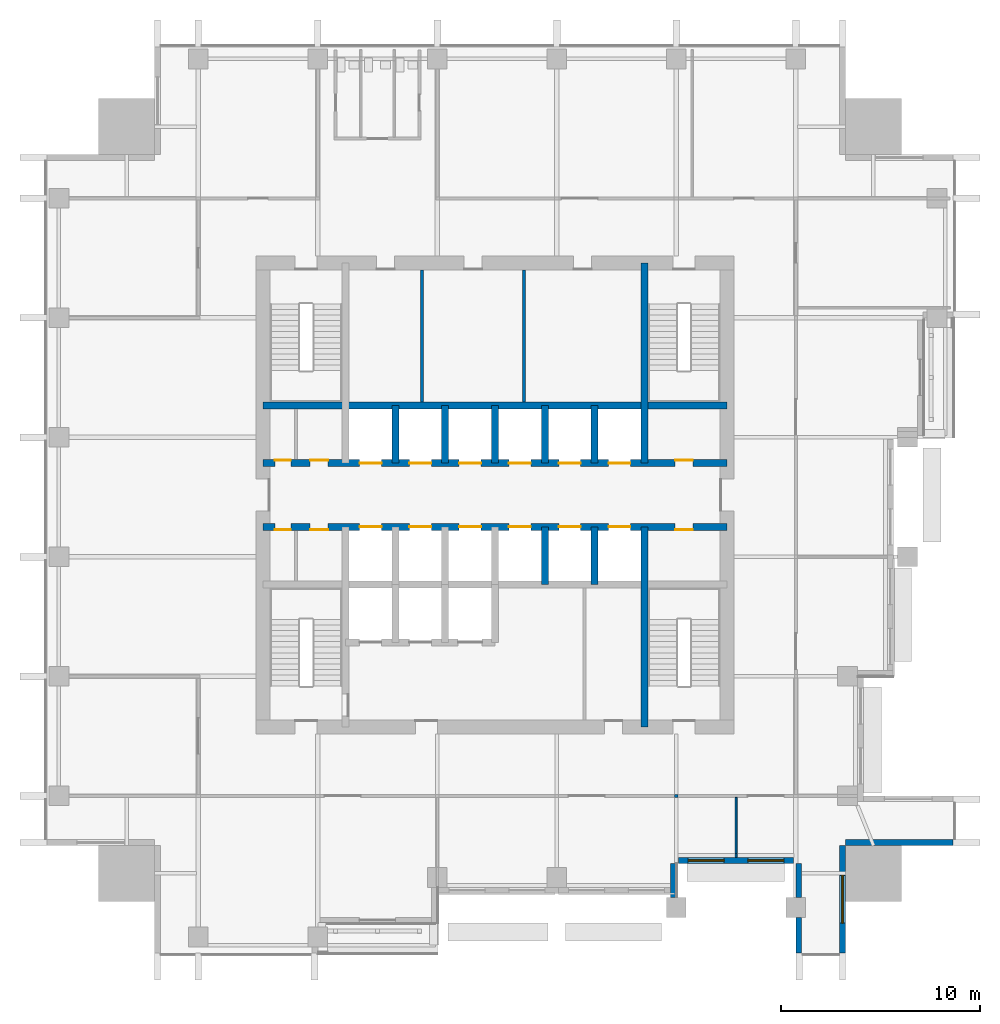
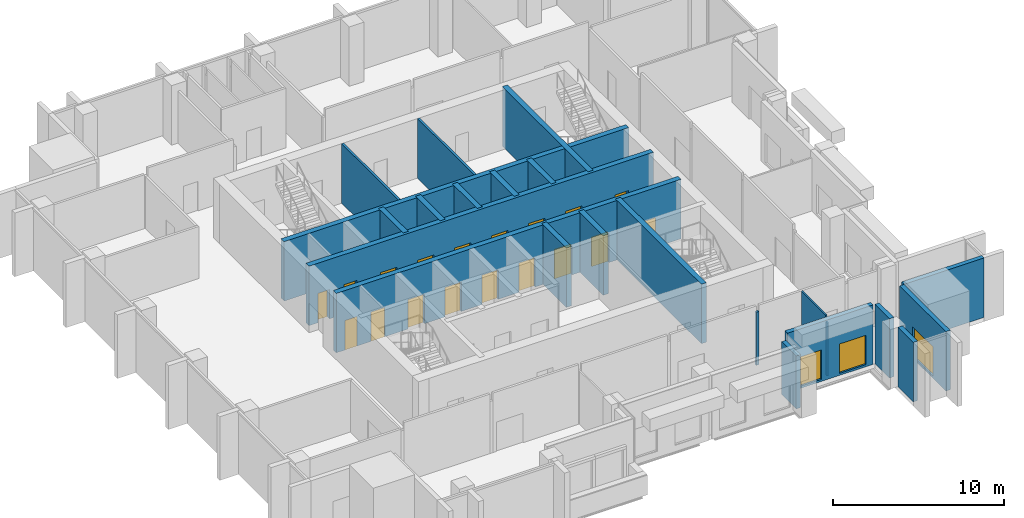
# One storey, part 5 of 11: 23 walls, 18 doors, 3 windows, 21 openings.
"""IFC4 building model written with IfcOpenShell, lengths in metres."""

from ifc_helpers import new_model, si_unit, direction, frame, frame_2d, origin, place, context, subcontext, project, spatial, rectangle, extrude, material, layer, layer_set, type_object, element, fill, save


model = new_model("IFC4")

# Units and contexts
model_context = context("Model", 3, precision=1e-05, world=origin(), true_north=direction((0.0, 1.0)))
body_context = subcontext(model_context, "Body", "Model", "MODEL_VIEW")
ifc_project = project(units=[si_unit("LENGTHUNIT", "METRE"), si_unit("AREAUNIT", "SQUARE_METRE"), si_unit("VOLUMEUNIT", "CUBIC_METRE"), si_unit("PLANEANGLEUNIT", "RADIAN"), si_unit("MASSUNIT", "GRAM", prefix="KILO")], contexts=[model_context])

# Site, building, storey
site_placement = place(None, origin())
site = spatial("IfcSite", under=ifc_project, at=site_placement, CompositionType="ELEMENT")
building_placement = place(site_placement, origin())
building = spatial("IfcBuilding", under=site, at=building_placement, Name="Amberfall Residences", CompositionType="ELEMENT")
storey_placement = place(building_placement, frame((0.0, 0.0, 150.39990234375)))
storey = spatial("IfcBuildingStorey", under=building, at=storey_placement, Name="L40", CompositionType="ELEMENT", Elevation=150.39990234375)

# Walls
ifc_material_1 = material(Name="Pale stone cladding on insulated backing", Category="masonry")
ifc_layer_1 = layer(ifc_material_1, 0.300048828125)
ifc_layer_set_1 = layer_set([ifc_layer_1], Name="Bronze clad wall 300")
wall_type_1 = type_object("IfcWallType", Name="Bronze clad wall 300", PredefinedType="SOLIDWALL", material=ifc_layer_set_1)
wall_1_placement = place(storey_placement, frame((89.75, 27.0, 0.0), z_axis=(0.0, 0.0, 1.0), x_axis=(0.0, -1.0, 0.0)))
element("IfcWall", 1, at=wall_1_placement, inside=storey, type_object=wall_type_1, Name="External wall L40 S", PredefinedType="SOLIDWALL", context=body_context, shape_type="SweptSolid", body=[
    extrude(rectangle(XDim=1.699951171875, YDim=0.300048828125, at=frame_2d((0.85009765625, 0.0))), origin(), (0.0, 0.0, 1.0), 4.25),
])
wall_2_placement = place(storey_placement, frame((89.75, 24.300048828125, 0.0), z_axis=(0.0, 0.0, 1.0), x_axis=(0.0, -1.0, 0.0)))
element("IfcWall", 2, at=wall_2_placement, inside=storey, type_object=wall_type_1, Name="External wall L40 S", PredefinedType="SOLIDWALL", context=body_context, shape_type="SweptSolid", body=[
    extrude(rectangle(XDim=1.800048828125, YDim=0.300048828125, at=frame_2d((0.89990234375, 0.0))), origin(), (0.0, 0.0, 1.0), 4.25),
])

# Wall, opening, window
wall_3_placement = place(storey_placement, frame((91.949951171875, 22.5, 0.0), z_axis=(0.0, 0.0, 1.0), x_axis=(0.0, 1.0, 0.0)))
wall_3 = element("IfcWall", 3, at=wall_3_placement, inside=storey, type_object=wall_type_1, Name="External wall L40 SE", PredefinedType="SOLIDWALL", context=body_context, shape_type="SweptSolid", body=[
    extrude(rectangle(XDim=5.39990234375, YDim=0.300048828125, at=frame_2d((2.699951171875, 0.0))), origin(), (0.0, 0.0, 1.0), 4.25),
])
opening_1_placement = place(wall_3_placement, frame((1.5, 0.0, 0.14990234375)))
opening_1 = element("IfcOpeningElement", 4, at=opening_1_placement, cuts=wall_3, Name="Opening WN5", PredefinedType="OPENING", context=body_context, shape_type="SweptSolid", body=[
    extrude(rectangle(XDim=2.39990234375, YDim=2.10009765625, at=frame_2d((1.199951171875, 1.050048828125))), frame((0.0, 0.159912109375, 0.0), z_axis=(0.0, -1.0, 0.0), x_axis=(1.0, 0.0, 0.0)), (0.0, 0.0, 1.0), 0.320068359375),
])
ifc_material_2 = material(Name="Bronze aluminium framed glazing", Category="aluminium")
window_type_1 = type_object("IfcWindowType", Name="Glazed opening 2400 x 2100 bronze", PartitioningType="DOUBLE_PANEL_VERTICAL", PredefinedType="WINDOW", material=ifc_material_2)
window_1_placement = place(opening_1_placement, origin())
window_1 = element("IfcWindow", 5, at=window_1_placement, inside=storey, type_object=window_type_1, Name="Window L40 SE", OverallHeight=2.10009765625, OverallWidth=2.39990234375, PartitioningType="DOUBLE_PANEL_VERTICAL", PredefinedType="WINDOW", context=body_context, shape_type="SweptSolid", body=[
    extrude(rectangle(XDim=2.39990234375, YDim=2.10009765625, at=frame_2d((1.199951171875, 1.050048828125))), frame((0.0, 0.030029296875, 0.0), z_axis=(0.0, -1.0, 0.0), x_axis=(1.0, 0.0, 0.0)), (0.0, 0.0, 1.0), 0.06005859375),
])
fill(opening_1, window_1)

# Walls
wall_4_placement = place(storey_placement, frame((92.10009765625, 28.050048828125, 0.0), z_axis=(0.0, 0.0, 1.0), x_axis=(1.0, 0.0, 0.0)))
element("IfcWall", 6, at=wall_4_placement, inside=storey, type_object=wall_type_1, Name="External wall L40 SE", PredefinedType="SOLIDWALL", context=body_context, shape_type="SweptSolid", body=[
    extrude(rectangle(XDim=5.39990234375, YDim=0.300048828125, at=frame_2d((2.699951171875, 0.0))), origin(), (0.0, 0.0, 1.0), 4.25),
])
wall_5_placement = place(storey_placement, frame((83.449951171875, 25.300048828125, 0.0), z_axis=(0.0, 0.0, 1.0), x_axis=(0.0, 1.0, 0.0)))
element("IfcWall", 7, at=wall_5_placement, inside=storey, type_object=wall_type_1, Name="Stone wall L40 E", PredefinedType="SOLIDWALL", context=body_context, shape_type="SweptSolid", body=[
    extrude(rectangle(XDim=1.699951171875, YDim=0.300048828125, at=frame_2d((0.85009765625, 0.0))), origin(), (0.0, 0.0, 1.0), 3.7880859375),
])

# Wall, openings, windows
wall_6_placement = place(storey_placement, frame((83.699951171875, 27.14990234375, 0.0), z_axis=(0.0, 0.0, 1.0), x_axis=(1.0, 0.0, 0.0)))
wall_6 = element("IfcWall", 8, at=wall_6_placement, inside=storey, type_object=wall_type_1, Name="Stone wall L40 S", PredefinedType="SOLIDWALL", context=body_context, shape_type="SweptSolid", body=[
    extrude(rectangle(XDim=5.7900390625, YDim=0.300048828125, at=frame_2d((2.89501953125, 0.0))), origin(), (0.0, 0.0, 1.0), 4.25),
])
opening_2_placement = place(wall_6_placement, frame((0.5, 0.0, 0.14990234375)))
opening_2 = element("IfcOpeningElement", 9, at=opening_2_placement, cuts=wall_6, Name="Opening WN6", PredefinedType="OPENING", context=body_context, shape_type="SweptSolid", body=[
    extrude(rectangle(XDim=1.800048828125, YDim=2.10009765625, at=frame_2d((0.89990234375, 1.050048828125))), frame((0.0, 0.159912109375, 0.0), z_axis=(0.0, -1.0, 0.0), x_axis=(1.0, 0.0, 0.0)), (0.0, 0.0, 1.0), 0.320068359375),
])
opening_3_placement = place(wall_6_placement, frame((3.5, 0.0, 0.14990234375)))
opening_3 = element("IfcOpeningElement", 10, at=opening_3_placement, cuts=wall_6, Name="Opening WN6", PredefinedType="OPENING", context=body_context, shape_type="SweptSolid", body=[
    extrude(rectangle(XDim=1.800048828125, YDim=2.10009765625, at=frame_2d((0.89990234375, 1.050048828125))), frame((0.0, 0.159912109375, 0.0), z_axis=(0.0, -1.0, 0.0), x_axis=(1.0, 0.0, 0.0)), (0.0, 0.0, 1.0), 0.320068359375),
])
window_type_2 = type_object("IfcWindowType", Name="Glazed opening 1800 x 2100 bronze", PartitioningType="DOUBLE_PANEL_VERTICAL", PredefinedType="WINDOW", material=ifc_material_2)
window_2_placement = place(opening_2_placement, origin())
window_2 = element("IfcWindow", 11, at=window_2_placement, inside=storey, type_object=window_type_2, Name="Window L40 S", OverallHeight=2.10009765625, OverallWidth=1.800048828125, PartitioningType="DOUBLE_PANEL_VERTICAL", PredefinedType="WINDOW", context=body_context, shape_type="SweptSolid", body=[
    extrude(rectangle(XDim=1.800048828125, YDim=2.10009765625, at=frame_2d((0.89990234375, 1.050048828125))), frame((0.0, 0.030029296875, 0.0), z_axis=(0.0, -1.0, 0.0), x_axis=(1.0, 0.0, 0.0)), (0.0, 0.0, 1.0), 0.06005859375),
])
fill(opening_2, window_2)
window_3_placement = place(opening_3_placement, origin())
window_3 = element("IfcWindow", 12, at=window_3_placement, inside=storey, type_object=window_type_2, Name="Window L40 S", OverallHeight=2.10009765625, OverallWidth=1.800048828125, PartitioningType="DOUBLE_PANEL_VERTICAL", PredefinedType="WINDOW", context=body_context, shape_type="SweptSolid", body=[
    extrude(rectangle(XDim=1.800048828125, YDim=2.10009765625, at=frame_2d((0.89990234375, 1.050048828125))), frame((0.0, 0.030029296875, 0.0), z_axis=(0.0, -1.0, 0.0), x_axis=(1.0, 0.0, 0.0)), (0.0, 0.0, 1.0), 0.06005859375),
])
fill(opening_3, window_3)

# Wall, openings, doors
ifc_material_3 = material(Name="Concrete C60", Category="concrete")
ifc_layer_2 = layer(ifc_material_3, 0.35009765625)
ifc_layer_set_2 = layer_set([ifc_layer_2], Name="Core wall 350 C60")
wall_type_2 = type_object("IfcWallType", Name="Core wall 350 C60", PredefinedType="SHEAR", material=ifc_layer_set_2)
wall_7_placement = place(storey_placement, frame((62.85009765625, 43.89990234375, 0.0), z_axis=(0.0, 0.0, 1.0), x_axis=(1.0, 0.0, 0.0)))
wall_7 = element("IfcWall", 13, at=wall_7_placement, inside=storey, type_object=wall_type_2, Name="Core wall RW6 L40 H104", PredefinedType="SHEAR", context=body_context, shape_type="SweptSolid", body=[
    extrude(rectangle(XDim=23.2998046875, YDim=0.35009765625, at=frame_2d((11.64990234375, 0.0))), origin(), (0.0, 0.0, 1.0), 4.25),
])
opening_4_placement = place(wall_7_placement, frame((0.6025390625, 0.0, 0.0)))
opening_4 = element("IfcOpeningElement", 14, at=opening_4_placement, cuts=wall_7, Name="Opening RD2", PredefinedType="OPENING", context=body_context, shape_type="SweptSolid", body=[
    extrude(rectangle(XDim=0.800048828125, YDim=2.10009765625, at=frame_2d((0.39990234375, 1.050048828125))), frame((0.0, 0.18505859375, 0.0), z_axis=(0.0, -1.0, 0.0), x_axis=(1.0, 0.0, 0.0)), (0.0, 0.0, 1.0), 0.3701171875),
])
opening_5_placement = place(wall_7_placement, frame((2.364990234375, 0.0, 0.0)))
opening_5 = element("IfcOpeningElement", 15, at=opening_5_placement, cuts=wall_7, Name="Opening RD1", PredefinedType="OPENING", context=body_context, shape_type="SweptSolid", body=[
    extrude(rectangle(XDim=0.89990234375, YDim=2.10009765625, at=frame_2d((0.449951171875, 1.050048828125))), frame((0.0, 0.18505859375, 0.0), z_axis=(0.0, -1.0, 0.0), x_axis=(1.0, 0.0, 0.0)), (0.0, 0.0, 1.0), 0.3701171875),
])
opening_6_placement = place(wall_7_placement, frame((20.6875, 0.0, 0.0)))
opening_6 = element("IfcOpeningElement", 16, at=opening_6_placement, cuts=wall_7, Name="Opening RD1", PredefinedType="OPENING", context=body_context, shape_type="SweptSolid", body=[
    extrude(rectangle(XDim=0.89990234375, YDim=2.10009765625, at=frame_2d((0.449951171875, 1.050048828125))), frame((0.0, 0.18505859375, 0.0), z_axis=(0.0, -1.0, 0.0), x_axis=(1.0, 0.0, 0.0)), (0.0, 0.0, 1.0), 0.3701171875),
])
opening_7_placement = place(wall_7_placement, frame((4.85009765625, 0.0, 0.0)))
opening_7 = element("IfcOpeningElement", 17, at=opening_7_placement, cuts=wall_7, Name="Opening LD1", PredefinedType="OPENING", context=body_context, shape_type="SweptSolid", body=[
    extrude(rectangle(XDim=1.10009765625, YDim=2.10009765625, at=frame_2d((0.550048828125, 1.050048828125))), frame((0.0, 0.18505859375, 0.0), z_axis=(0.0, -1.0, 0.0), x_axis=(1.0, 0.0, 0.0)), (0.0, 0.0, 1.0), 0.3701171875),
])
opening_8_placement = place(wall_7_placement, frame((7.35009765625, 0.0, 0.0)))
opening_8 = element("IfcOpeningElement", 18, at=opening_8_placement, cuts=wall_7, Name="Opening LD1", PredefinedType="OPENING", context=body_context, shape_type="SweptSolid", body=[
    extrude(rectangle(XDim=1.10009765625, YDim=2.10009765625, at=frame_2d((0.550048828125, 1.050048828125))), frame((0.0, 0.18505859375, 0.0), z_axis=(0.0, -1.0, 0.0), x_axis=(1.0, 0.0, 0.0)), (0.0, 0.0, 1.0), 0.3701171875),
])
opening_9_placement = place(wall_7_placement, frame((9.85009765625, 0.0, 0.0)))
opening_9 = element("IfcOpeningElement", 19, at=opening_9_placement, cuts=wall_7, Name="Opening LD1", PredefinedType="OPENING", context=body_context, shape_type="SweptSolid", body=[
    extrude(rectangle(XDim=1.10009765625, YDim=2.10009765625, at=frame_2d((0.550048828125, 1.050048828125))), frame((0.0, 0.18505859375, 0.0), z_axis=(0.0, -1.0, 0.0), x_axis=(1.0, 0.0, 0.0)), (0.0, 0.0, 1.0), 0.3701171875),
])
opening_10_placement = place(wall_7_placement, frame((12.35009765625, 0.0, 0.0)))
opening_10 = element("IfcOpeningElement", 20, at=opening_10_placement, cuts=wall_7, Name="Opening LD1", PredefinedType="OPENING", context=body_context, shape_type="SweptSolid", body=[
    extrude(rectangle(XDim=1.10009765625, YDim=2.10009765625, at=frame_2d((0.550048828125, 1.050048828125))), frame((0.0, 0.18505859375, 0.0), z_axis=(0.0, -1.0, 0.0), x_axis=(1.0, 0.0, 0.0)), (0.0, 0.0, 1.0), 0.3701171875),
])
opening_11_placement = place(wall_7_placement, frame((14.85009765625, 0.0, 0.0)))
opening_11 = element("IfcOpeningElement", 21, at=opening_11_placement, cuts=wall_7, Name="Opening LD1", PredefinedType="OPENING", context=body_context, shape_type="SweptSolid", body=[
    extrude(rectangle(XDim=1.10009765625, YDim=2.10009765625, at=frame_2d((0.550048828125, 1.050048828125))), frame((0.0, 0.18505859375, 0.0), z_axis=(0.0, -1.0, 0.0), x_axis=(1.0, 0.0, 0.0)), (0.0, 0.0, 1.0), 0.3701171875),
])
opening_12_placement = place(wall_7_placement, frame((17.35009765625, 0.0, 0.0)))
opening_12 = element("IfcOpeningElement", 22, at=opening_12_placement, cuts=wall_7, Name="Opening LD1", PredefinedType="OPENING", context=body_context, shape_type="SweptSolid", body=[
    extrude(rectangle(XDim=1.10009765625, YDim=2.10009765625, at=frame_2d((0.550048828125, 1.050048828125))), frame((0.0, 0.18505859375, 0.0), z_axis=(0.0, -1.0, 0.0), x_axis=(1.0, 0.0, 0.0)), (0.0, 0.0, 1.0), 0.3701171875),
])
ifc_material_4 = material(Name="Steel fire door set", Category="steel")
door_type_1 = type_object("IfcDoorType", Name="Lift landing door 1100 x 2100", OperationType="DOUBLE_DOOR_SLIDING", PredefinedType="DOOR", material=ifc_material_4)
door_1_placement = place(opening_7_placement, origin())
door_1 = element("IfcDoor", 23, at=door_1_placement, inside=storey, type_object=door_type_1, Name="Landing door LP1 L40", OperationType="DOUBLE_DOOR_SLIDING", OverallHeight=2.10009765625, OverallWidth=1.10009765625, PredefinedType="DOOR", context=body_context, shape_type="SweptSolid", body=[
    extrude(rectangle(XDim=1.10009765625, YDim=2.10009765625, at=frame_2d((0.550048828125, 1.050048828125))), frame((0.0, 0.02490234375, 0.0), z_axis=(0.0, -1.0, 0.0), x_axis=(1.0, 0.0, 0.0)), (0.0, 0.0, 1.0), 0.050048828125),
])
fill(opening_7, door_1)
door_2_placement = place(opening_8_placement, origin())
door_2 = element("IfcDoor", 24, at=door_2_placement, inside=storey, type_object=door_type_1, Name="Landing door LP2 L40", OperationType="DOUBLE_DOOR_SLIDING", OverallHeight=2.10009765625, OverallWidth=1.10009765625, PredefinedType="DOOR", context=body_context, shape_type="SweptSolid", body=[
    extrude(rectangle(XDim=1.10009765625, YDim=2.10009765625, at=frame_2d((0.550048828125, 1.050048828125))), frame((0.0, 0.02490234375, 0.0), z_axis=(0.0, -1.0, 0.0), x_axis=(1.0, 0.0, 0.0)), (0.0, 0.0, 1.0), 0.050048828125),
])
fill(opening_8, door_2)
door_3_placement = place(opening_9_placement, origin())
door_3 = element("IfcDoor", 25, at=door_3_placement, inside=storey, type_object=door_type_1, Name="Landing door LP3 L40", OperationType="DOUBLE_DOOR_SLIDING", OverallHeight=2.10009765625, OverallWidth=1.10009765625, PredefinedType="DOOR", context=body_context, shape_type="SweptSolid", body=[
    extrude(rectangle(XDim=1.10009765625, YDim=2.10009765625, at=frame_2d((0.550048828125, 1.050048828125))), frame((0.0, 0.02490234375, 0.0), z_axis=(0.0, -1.0, 0.0), x_axis=(1.0, 0.0, 0.0)), (0.0, 0.0, 1.0), 0.050048828125),
])
fill(opening_9, door_3)
door_4_placement = place(opening_10_placement, origin())
door_4 = element("IfcDoor", 26, at=door_4_placement, inside=storey, type_object=door_type_1, Name="Landing door LP4 L40", OperationType="DOUBLE_DOOR_SLIDING", OverallHeight=2.10009765625, OverallWidth=1.10009765625, PredefinedType="DOOR", context=body_context, shape_type="SweptSolid", body=[
    extrude(rectangle(XDim=1.10009765625, YDim=2.10009765625, at=frame_2d((0.550048828125, 1.050048828125))), frame((0.0, 0.02490234375, 0.0), z_axis=(0.0, -1.0, 0.0), x_axis=(1.0, 0.0, 0.0)), (0.0, 0.0, 1.0), 0.050048828125),
])
fill(opening_10, door_4)
door_5_placement = place(opening_11_placement, origin())
door_5 = element("IfcDoor", 27, at=door_5_placement, inside=storey, type_object=door_type_1, Name="Landing door LP5 L40", OperationType="DOUBLE_DOOR_SLIDING", OverallHeight=2.10009765625, OverallWidth=1.10009765625, PredefinedType="DOOR", context=body_context, shape_type="SweptSolid", body=[
    extrude(rectangle(XDim=1.10009765625, YDim=2.10009765625, at=frame_2d((0.550048828125, 1.050048828125))), frame((0.0, 0.02490234375, 0.0), z_axis=(0.0, -1.0, 0.0), x_axis=(1.0, 0.0, 0.0)), (0.0, 0.0, 1.0), 0.050048828125),
])
fill(opening_11, door_5)
door_6_placement = place(opening_12_placement, origin())
door_6 = element("IfcDoor", 28, at=door_6_placement, inside=storey, type_object=door_type_1, Name="Landing door LP6 L40", OperationType="DOUBLE_DOOR_SLIDING", OverallHeight=2.10009765625, OverallWidth=1.10009765625, PredefinedType="DOOR", context=body_context, shape_type="SweptSolid", body=[
    extrude(rectangle(XDim=1.10009765625, YDim=2.10009765625, at=frame_2d((0.550048828125, 1.050048828125))), frame((0.0, 0.02490234375, 0.0), z_axis=(0.0, -1.0, 0.0), x_axis=(1.0, 0.0, 0.0)), (0.0, 0.0, 1.0), 0.050048828125),
])
fill(opening_12, door_6)
door_type_2 = type_object("IfcDoorType", Name="Service room door 800 x 2100", OperationType="SINGLE_SWING_LEFT", PredefinedType="DOOR", material=ifc_material_4)
door_7_placement = place(opening_4_placement, origin())
door_7 = element("IfcDoor", 29, at=door_7_placement, inside=storey, type_object=door_type_2, Name="RD2 L40", OperationType="SINGLE_SWING_LEFT", OverallHeight=2.10009765625, OverallWidth=0.800048828125, PredefinedType="DOOR", context=body_context, shape_type="SweptSolid", body=[
    extrude(rectangle(XDim=0.800048828125, YDim=2.10009765625, at=frame_2d((0.39990234375, 1.050048828125))), frame((0.0, -0.1123046875, 0.0), z_axis=(0.0, -1.0, 0.0), x_axis=(1.0, 0.0, 0.0)), (0.0, 0.0, 1.0), 0.050048828125),
])
fill(opening_4, door_7)
door_type_3 = type_object("IfcDoorType", Name="Service room door 900 x 2100", OperationType="SINGLE_SWING_LEFT", PredefinedType="DOOR", material=ifc_material_4)
door_8_placement = place(opening_5_placement, origin())
door_8 = element("IfcDoor", 30, at=door_8_placement, inside=storey, type_object=door_type_3, Name="RD1 L40", OperationType="SINGLE_SWING_RIGHT", OverallHeight=2.10009765625, OverallWidth=0.89990234375, PredefinedType="DOOR", context=body_context, shape_type="SweptSolid", body=[
    extrude(rectangle(XDim=0.89990234375, YDim=2.10009765625, at=frame_2d((0.449951171875, 1.050048828125))), frame((0.0, -0.1123046875, 0.0), z_axis=(0.0, -1.0, 0.0), x_axis=(1.0, 0.0, 0.0)), (0.0, 0.0, 1.0), 0.050048828125),
])
fill(opening_5, door_8)
door_9_placement = place(opening_6_placement, origin())
door_9 = element("IfcDoor", 31, at=door_9_placement, inside=storey, type_object=door_type_3, Name="RD1 L40", OperationType="SINGLE_SWING_LEFT", OverallHeight=2.10009765625, OverallWidth=0.89990234375, PredefinedType="DOOR", context=body_context, shape_type="SweptSolid", body=[
    extrude(rectangle(XDim=0.89990234375, YDim=2.10009765625, at=frame_2d((0.449951171875, 1.050048828125))), frame((0.0, -0.1123046875, 0.0), z_axis=(0.0, -1.0, 0.0), x_axis=(1.0, 0.0, 0.0)), (0.0, 0.0, 1.0), 0.050048828125),
])
fill(opening_6, door_9)

wall_8_placement = place(storey_placement, frame((62.85009765625, 47.10009765625, 0.0), z_axis=(0.0, 0.0, 1.0), x_axis=(1.0, 0.0, 0.0)))
wall_8 = element("IfcWall", 32, at=wall_8_placement, inside=storey, type_object=wall_type_2, Name="Core wall RW6 L40 H136", PredefinedType="SHEAR", context=body_context, shape_type="SweptSolid", body=[
    extrude(rectangle(XDim=23.2998046875, YDim=0.35009765625, at=frame_2d((11.64990234375, 0.0))), origin(), (0.0, 0.0, 1.0), 4.25),
])
opening_13_placement = place(wall_8_placement, frame((0.6025390625, 0.0, 0.0)))
opening_13 = element("IfcOpeningElement", 33, at=opening_13_placement, cuts=wall_8, Name="Opening RD2", PredefinedType="OPENING", context=body_context, shape_type="SweptSolid", body=[
    extrude(rectangle(XDim=0.800048828125, YDim=2.10009765625, at=frame_2d((0.39990234375, 1.050048828125))), frame((0.0, 0.18505859375, 0.0), z_axis=(0.0, -1.0, 0.0), x_axis=(1.0, 0.0, 0.0)), (0.0, 0.0, 1.0), 0.3701171875),
])
opening_14_placement = place(wall_8_placement, frame((2.364990234375, 0.0, 0.0)))
opening_14 = element("IfcOpeningElement", 34, at=opening_14_placement, cuts=wall_8, Name="Opening RD1", PredefinedType="OPENING", context=body_context, shape_type="SweptSolid", body=[
    extrude(rectangle(XDim=0.89990234375, YDim=2.10009765625, at=frame_2d((0.449951171875, 1.050048828125))), frame((0.0, 0.18505859375, 0.0), z_axis=(0.0, -1.0, 0.0), x_axis=(1.0, 0.0, 0.0)), (0.0, 0.0, 1.0), 0.3701171875),
])
opening_15_placement = place(wall_8_placement, frame((20.6875, 0.0, 0.0)))
opening_15 = element("IfcOpeningElement", 35, at=opening_15_placement, cuts=wall_8, Name="Opening RD1", PredefinedType="OPENING", context=body_context, shape_type="SweptSolid", body=[
    extrude(rectangle(XDim=0.89990234375, YDim=2.10009765625, at=frame_2d((0.449951171875, 1.050048828125))), frame((0.0, 0.18505859375, 0.0), z_axis=(0.0, -1.0, 0.0), x_axis=(1.0, 0.0, 0.0)), (0.0, 0.0, 1.0), 0.3701171875),
])
opening_16_placement = place(wall_8_placement, frame((4.85009765625, 0.0, 0.0)))
opening_16 = element("IfcOpeningElement", 36, at=opening_16_placement, cuts=wall_8, Name="Opening LD1", PredefinedType="OPENING", context=body_context, shape_type="SweptSolid", body=[
    extrude(rectangle(XDim=1.10009765625, YDim=2.10009765625, at=frame_2d((0.550048828125, 1.050048828125))), frame((0.0, 0.18505859375, 0.0), z_axis=(0.0, -1.0, 0.0), x_axis=(1.0, 0.0, 0.0)), (0.0, 0.0, 1.0), 0.3701171875),
])
opening_17_placement = place(wall_8_placement, frame((7.35009765625, 0.0, 0.0)))
opening_17 = element("IfcOpeningElement", 37, at=opening_17_placement, cuts=wall_8, Name="Opening LD1", PredefinedType="OPENING", context=body_context, shape_type="SweptSolid", body=[
    extrude(rectangle(XDim=1.10009765625, YDim=2.10009765625, at=frame_2d((0.550048828125, 1.050048828125))), frame((0.0, 0.18505859375, 0.0), z_axis=(0.0, -1.0, 0.0), x_axis=(1.0, 0.0, 0.0)), (0.0, 0.0, 1.0), 0.3701171875),
])
opening_18_placement = place(wall_8_placement, frame((9.85009765625, 0.0, 0.0)))
opening_18 = element("IfcOpeningElement", 38, at=opening_18_placement, cuts=wall_8, Name="Opening LD1", PredefinedType="OPENING", context=body_context, shape_type="SweptSolid", body=[
    extrude(rectangle(XDim=1.10009765625, YDim=2.10009765625, at=frame_2d((0.550048828125, 1.050048828125))), frame((0.0, 0.18505859375, 0.0), z_axis=(0.0, -1.0, 0.0), x_axis=(1.0, 0.0, 0.0)), (0.0, 0.0, 1.0), 0.3701171875),
])
opening_19_placement = place(wall_8_placement, frame((12.35009765625, 0.0, 0.0)))
opening_19 = element("IfcOpeningElement", 39, at=opening_19_placement, cuts=wall_8, Name="Opening LD1", PredefinedType="OPENING", context=body_context, shape_type="SweptSolid", body=[
    extrude(rectangle(XDim=1.10009765625, YDim=2.10009765625, at=frame_2d((0.550048828125, 1.050048828125))), frame((0.0, 0.18505859375, 0.0), z_axis=(0.0, -1.0, 0.0), x_axis=(1.0, 0.0, 0.0)), (0.0, 0.0, 1.0), 0.3701171875),
])
opening_20_placement = place(wall_8_placement, frame((14.85009765625, 0.0, 0.0)))
opening_20 = element("IfcOpeningElement", 40, at=opening_20_placement, cuts=wall_8, Name="Opening LD1", PredefinedType="OPENING", context=body_context, shape_type="SweptSolid", body=[
    extrude(rectangle(XDim=1.10009765625, YDim=2.10009765625, at=frame_2d((0.550048828125, 1.050048828125))), frame((0.0, 0.18505859375, 0.0), z_axis=(0.0, -1.0, 0.0), x_axis=(1.0, 0.0, 0.0)), (0.0, 0.0, 1.0), 0.3701171875),
])
opening_21_placement = place(wall_8_placement, frame((17.35009765625, 0.0, 0.0)))
opening_21 = element("IfcOpeningElement", 41, at=opening_21_placement, cuts=wall_8, Name="Opening LD1", PredefinedType="OPENING", context=body_context, shape_type="SweptSolid", body=[
    extrude(rectangle(XDim=1.10009765625, YDim=2.10009765625, at=frame_2d((0.550048828125, 1.050048828125))), frame((0.0, 0.18505859375, 0.0), z_axis=(0.0, -1.0, 0.0), x_axis=(1.0, 0.0, 0.0)), (0.0, 0.0, 1.0), 0.3701171875),
])
door_10_placement = place(opening_16_placement, origin())
door_10 = element("IfcDoor", 42, at=door_10_placement, inside=storey, type_object=door_type_1, Name="Landing door HP1 L40", OperationType="DOUBLE_DOOR_SLIDING", OverallHeight=2.10009765625, OverallWidth=1.10009765625, PredefinedType="DOOR", context=body_context, shape_type="SweptSolid", body=[
    extrude(rectangle(XDim=1.10009765625, YDim=2.10009765625, at=frame_2d((0.550048828125, 1.050048828125))), frame((0.0, 0.02490234375, 0.0), z_axis=(0.0, -1.0, 0.0), x_axis=(1.0, 0.0, 0.0)), (0.0, 0.0, 1.0), 0.050048828125),
])
fill(opening_16, door_10)
door_11_placement = place(opening_17_placement, origin())
door_11 = element("IfcDoor", 43, at=door_11_placement, inside=storey, type_object=door_type_1, Name="Landing door HP2 L40", OperationType="DOUBLE_DOOR_SLIDING", OverallHeight=2.10009765625, OverallWidth=1.10009765625, PredefinedType="DOOR", context=body_context, shape_type="SweptSolid", body=[
    extrude(rectangle(XDim=1.10009765625, YDim=2.10009765625, at=frame_2d((0.550048828125, 1.050048828125))), frame((0.0, 0.02490234375, 0.0), z_axis=(0.0, -1.0, 0.0), x_axis=(1.0, 0.0, 0.0)), (0.0, 0.0, 1.0), 0.050048828125),
])
fill(opening_17, door_11)
door_12_placement = place(opening_18_placement, origin())
door_12 = element("IfcDoor", 44, at=door_12_placement, inside=storey, type_object=door_type_1, Name="Landing door HP3 L40", OperationType="DOUBLE_DOOR_SLIDING", OverallHeight=2.10009765625, OverallWidth=1.10009765625, PredefinedType="DOOR", context=body_context, shape_type="SweptSolid", body=[
    extrude(rectangle(XDim=1.10009765625, YDim=2.10009765625, at=frame_2d((0.550048828125, 1.050048828125))), frame((0.0, 0.02490234375, 0.0), z_axis=(0.0, -1.0, 0.0), x_axis=(1.0, 0.0, 0.0)), (0.0, 0.0, 1.0), 0.050048828125),
])
fill(opening_18, door_12)
door_13_placement = place(opening_19_placement, origin())
door_13 = element("IfcDoor", 45, at=door_13_placement, inside=storey, type_object=door_type_1, Name="Landing door HP4 L40", OperationType="DOUBLE_DOOR_SLIDING", OverallHeight=2.10009765625, OverallWidth=1.10009765625, PredefinedType="DOOR", context=body_context, shape_type="SweptSolid", body=[
    extrude(rectangle(XDim=1.10009765625, YDim=2.10009765625, at=frame_2d((0.550048828125, 1.050048828125))), frame((0.0, 0.02490234375, 0.0), z_axis=(0.0, -1.0, 0.0), x_axis=(1.0, 0.0, 0.0)), (0.0, 0.0, 1.0), 0.050048828125),
])
fill(opening_19, door_13)
door_14_placement = place(opening_20_placement, origin())
door_14 = element("IfcDoor", 46, at=door_14_placement, inside=storey, type_object=door_type_1, Name="Landing door HP5 L40", OperationType="DOUBLE_DOOR_SLIDING", OverallHeight=2.10009765625, OverallWidth=1.10009765625, PredefinedType="DOOR", context=body_context, shape_type="SweptSolid", body=[
    extrude(rectangle(XDim=1.10009765625, YDim=2.10009765625, at=frame_2d((0.550048828125, 1.050048828125))), frame((0.0, 0.02490234375, 0.0), z_axis=(0.0, -1.0, 0.0), x_axis=(1.0, 0.0, 0.0)), (0.0, 0.0, 1.0), 0.050048828125),
])
fill(opening_20, door_14)
door_15_placement = place(opening_21_placement, origin())
door_15 = element("IfcDoor", 47, at=door_15_placement, inside=storey, type_object=door_type_1, Name="Landing door HP6 L40", OperationType="DOUBLE_DOOR_SLIDING", OverallHeight=2.10009765625, OverallWidth=1.10009765625, PredefinedType="DOOR", context=body_context, shape_type="SweptSolid", body=[
    extrude(rectangle(XDim=1.10009765625, YDim=2.10009765625, at=frame_2d((0.550048828125, 1.050048828125))), frame((0.0, 0.02490234375, 0.0), z_axis=(0.0, -1.0, 0.0), x_axis=(1.0, 0.0, 0.0)), (0.0, 0.0, 1.0), 0.050048828125),
])
fill(opening_21, door_15)
door_16_placement = place(opening_13_placement, origin())
door_16 = element("IfcDoor", 48, at=door_16_placement, inside=storey, type_object=door_type_2, Name="RD2 L40", OperationType="SINGLE_SWING_LEFT", OverallHeight=2.10009765625, OverallWidth=0.800048828125, PredefinedType="DOOR", context=body_context, shape_type="SweptSolid", body=[
    extrude(rectangle(XDim=0.800048828125, YDim=2.10009765625, at=frame_2d((0.39990234375, 1.050048828125))), frame((0.0, 0.16259765625, 0.0), z_axis=(0.0, -1.0, 0.0), x_axis=(1.0, 0.0, 0.0)), (0.0, 0.0, 1.0), 0.050048828125),
])
fill(opening_13, door_16)
door_17_placement = place(opening_14_placement, origin())
door_17 = element("IfcDoor", 49, at=door_17_placement, inside=storey, type_object=door_type_3, Name="RD1 L40", OperationType="SINGLE_SWING_RIGHT", OverallHeight=2.10009765625, OverallWidth=0.89990234375, PredefinedType="DOOR", context=body_context, shape_type="SweptSolid", body=[
    extrude(rectangle(XDim=0.89990234375, YDim=2.10009765625, at=frame_2d((0.449951171875, 1.050048828125))), frame((0.0, 0.16259765625, 0.0), z_axis=(0.0, -1.0, 0.0), x_axis=(1.0, 0.0, 0.0)), (0.0, 0.0, 1.0), 0.050048828125),
])
fill(opening_14, door_17)
door_18_placement = place(opening_15_placement, origin())
door_18 = element("IfcDoor", 50, at=door_18_placement, inside=storey, type_object=door_type_3, Name="RD1 L40", OperationType="SINGLE_SWING_LEFT", OverallHeight=2.10009765625, OverallWidth=0.89990234375, PredefinedType="DOOR", context=body_context, shape_type="SweptSolid", body=[
    extrude(rectangle(XDim=0.89990234375, YDim=2.10009765625, at=frame_2d((0.449951171875, 1.050048828125))), frame((0.0, 0.16259765625, 0.0), z_axis=(0.0, -1.0, 0.0), x_axis=(1.0, 0.0, 0.0)), (0.0, 0.0, 1.0), 0.050048828125),
])
fill(opening_15, door_18)

# Walls
wall_9_placement = place(storey_placement, frame((62.85009765625, 50.0, 0.0), z_axis=(0.0, 0.0, 1.0), x_axis=(1.0, 0.0, 0.0)))
element("IfcWall", 51, at=wall_9_placement, inside=storey, type_object=wall_type_2, Name="Core wall RW6 L40 H165", PredefinedType="SHEAR", context=body_context, shape_type="SweptSolid", body=[
    extrude(rectangle(XDim=23.2998046875, YDim=0.35009765625, at=frame_2d((11.64990234375, 0.0))), origin(), (0.0, 0.0, 1.0), 4.25),
])
for number, where, z_axis, x_axis, name in (
    (52, (82.0, 33.85009765625, 0.0), (0.0, 0.0, 1.0), (0.0, 1.0, 0.0), "Core wall RW6 L40 V195S"),
    (53, (82.0, 47.10009765625, 0.0), (0.0, 0.0, 1.0), (0.0, 1.0, 0.0), "Core wall RW6 L40 V195N"),
):
    element("IfcWall", number, at=place(storey_placement, frame(where, z_axis=z_axis, x_axis=x_axis)), inside=storey, type_object=wall_type_2, Name=name, PredefinedType="SHEAR", context=body_context, shape_type="SweptSolid", body=[
        extrude(rectangle(XDim=10.0498046875, YDim=0.35009765625, at=frame_2d((5.02490234375, 0.0))), origin(), (0.0, 0.0, 1.0), 4.25),
    ])
for number, where, z_axis, x_axis, name in (
    (54, (69.5, 47.10009765625, 0.0), (0.0, 0.0, 1.0), (0.0, 1.0, 0.0), "Core wall RW6 L40 HPD1"),
    (55, (72.0, 47.10009765625, 0.0), (0.0, 0.0, 1.0), (0.0, 1.0, 0.0), "Core wall RW6 L40 HPD2"),
    (56, (74.5, 47.10009765625, 0.0), (0.0, 0.0, 1.0), (0.0, 1.0, 0.0), "Core wall RW6 L40 HPD3"),
    (57, (77.0, 41.0, 0.0), (0.0, 0.0, 1.0), (0.0, 1.0, 0.0), "Core wall RW6 L40 LPD4"),
    (58, (77.0, 47.10009765625, 0.0), (0.0, 0.0, 1.0), (0.0, 1.0, 0.0), "Core wall RW6 L40 HPD4"),
    (59, (79.5, 41.0, 0.0), (0.0, 0.0, 1.0), (0.0, 1.0, 0.0), "Core wall RW6 L40 LPD5"),
    (60, (79.5, 47.10009765625, 0.0), (0.0, 0.0, 1.0), (0.0, 1.0, 0.0), "Core wall RW6 L40 HPD5"),
):
    element("IfcWall", number, at=place(storey_placement, frame(where, z_axis=z_axis, x_axis=x_axis)), inside=storey, type_object=wall_type_2, Name=name, PredefinedType="SHEAR", context=body_context, shape_type="SweptSolid", body=[
        extrude(rectangle(XDim=2.89990234375, YDim=0.35009765625, at=frame_2d((1.449951171875, 0.0))), origin(), (0.0, 0.0, 1.0), 4.25),
    ])
ifc_material_5 = material(Name="Gypsum board on steel studs", Category="steel")
ifc_layer_3 = layer(ifc_material_5, 0.10009765625)
ifc_layer_set_3 = layer_set([ifc_layer_3], Name="Partition 100")
wall_type_3 = type_object("IfcWallType", Name="Partition 100", PredefinedType="PARTITIONING", material=ifc_layer_set_3)
wall_10_placement = place(storey_placement, frame((86.60009765625, 27.304931640625, 0.0), z_axis=(0.0, 0.0, 1.0), x_axis=(0.0, 1.0, 0.0)))
element("IfcWall", 61, at=wall_10_placement, inside=storey, type_object=wall_type_3, Name="Partition 100 L40 016", PredefinedType="PARTITIONING", context=body_context, shape_type="SweptSolid", body=[
    extrude(rectangle(XDim=0.18994140625, YDim=0.10009765625, at=frame_2d((0.094970703125, 0.0))), origin(), (0.0, 0.0, 1.0), 3.797119140625),
])
wall_11_placement = place(storey_placement, frame((86.60009765625, 27.494873046875, 0.0), z_axis=(0.0, 0.0, 1.0), x_axis=(0.0, 1.0, 0.0)))
element("IfcWall", 62, at=wall_11_placement, inside=storey, type_object=wall_type_3, Name="Partition 100 L40 017", PredefinedType="PARTITIONING", context=body_context, shape_type="SweptSolid", body=[
    extrude(rectangle(XDim=2.830078125, YDim=0.10009765625, at=frame_2d((1.4150390625, 0.0))), origin(), (0.0, 0.0, 1.0), 4.25),
])
ifc_material_6 = material(Name="Fire-rated gypsum board on steel studs", Category="steel")
ifc_layer_4 = layer(ifc_material_6, 0.14990234375)
ifc_layer_set_4 = layer_set([ifc_layer_4], Name="Partition 150 fire-rated")
wall_type_4 = type_object("IfcWallType", Name="Partition 150 fire-rated", PredefinedType="PARTITIONING", material=ifc_layer_set_4)
wall_12_placement = place(storey_placement, frame((83.50439453125, 30.39990234375, 0.0), z_axis=(0.0, 0.0, 1.0), x_axis=(1.0, 0.0, 0.0)))
element("IfcWall", 63, at=wall_12_placement, inside=storey, type_object=wall_type_4, Name="Partition 150 fire-rated L40 010", PredefinedType="PARTITIONING", context=body_context, shape_type="SweptSolid", body=[
    extrude(rectangle(XDim=0.19140625, YDim=0.14990234375, at=frame_2d((0.095703125, 0.0))), origin(), (0.0, 0.0, 1.0), 3.7900390625),
])
ifc_material_7 = material(Name="Concrete blockwork", Category="masonry")
ifc_layer_5 = layer(ifc_material_7, 0.14990234375)
ifc_layer_set_5 = layer_set([ifc_layer_5], Name="Riser wall 150")
wall_type_5 = type_object("IfcWallType", Name="Riser wall 150", PredefinedType="PLUMBINGWALL", material=ifc_layer_set_5)
for number, where, z_axis, x_axis, name in (
    (64, (70.83740234375, 50.175048828125, 0.0), (0.0, 0.0, 1.0), (0.0, 1.0, 0.0), "L40 core wall N0"),
    (65, (75.965087890625, 50.175048828125, 0.0), (0.0, 0.0, 1.0), (0.0, 1.0, 0.0), "L40 core wall N1"),
):
    element("IfcWall", number, at=place(storey_placement, frame(where, z_axis=z_axis, x_axis=x_axis)), inside=storey, type_object=wall_type_5, Name=name, PredefinedType="PLUMBINGWALL", context=body_context, shape_type="SweptSolid", body=[
        extrude(rectangle(XDim=6.625, YDim=0.14990234375, at=frame_2d((3.3125, 0.0))), origin(), (0.0, 0.0, 1.0), 4.25),
    ])

save(model, "model.ifc")
